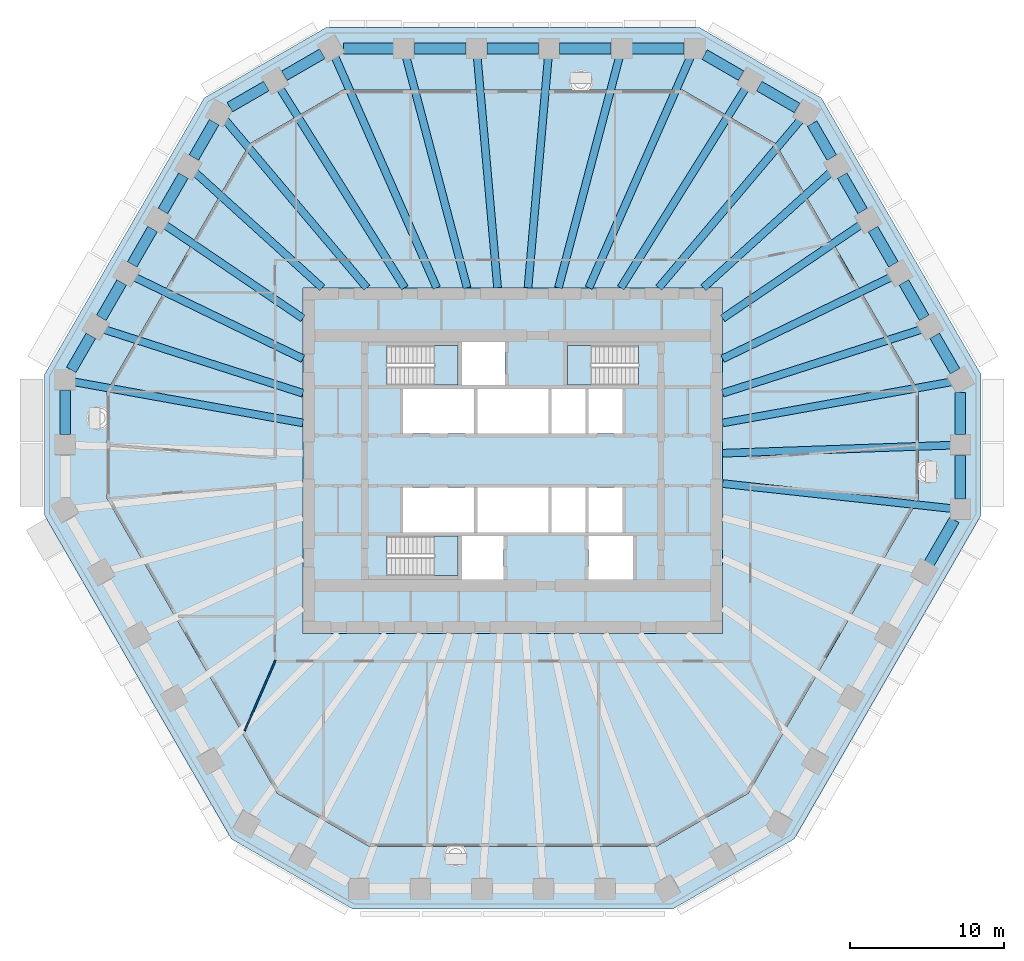
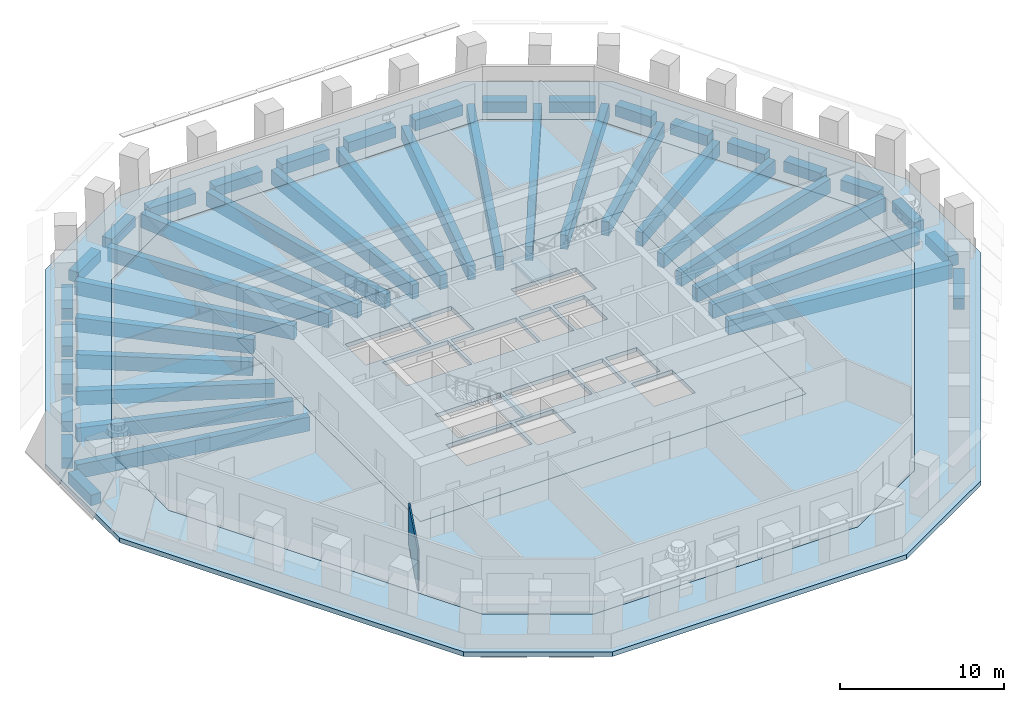
# One storey, part 2 of 13: 45 beams, 6 slabs, 1 wall, 3 elements without a shape of their own.
"""IFC4 building model written with IfcOpenShell, lengths in metres."""

from ifc_helpers import new_model, si_unit, direction, frame, frame_2d, origin, origin_2d, place, context, subcontext, project, spatial, polyline, rectangle, outline, extrude, material, layer, layer_set, material_profile, profile_set, type_object, element, aggregate, save


model = new_model("IFC4")

# Units and contexts
model_context = context("Model", 3, precision=1e-05, world=origin(), true_north=direction((0.0, 1.0)))
body_context = subcontext(model_context, "Body", "Model", "MODEL_VIEW")
ifc_project = project(units=[si_unit("LENGTHUNIT", "METRE"), si_unit("AREAUNIT", "SQUARE_METRE"), si_unit("VOLUMEUNIT", "CUBIC_METRE"), si_unit("PLANEANGLEUNIT", "RADIAN"), si_unit("MASSUNIT", "GRAM", prefix="KILO")], contexts=[model_context])

# Site, building, storey
site_placement = place(None, origin())
site = spatial("IfcSite", under=ifc_project, at=site_placement, CompositionType="ELEMENT")
building_placement = place(site_placement, origin())
building = spatial("IfcBuilding", under=site, at=building_placement, Name="Frailejon Research Tower", CompositionType="ELEMENT")
storey_placement = place(building_placement, frame((0.0, 0.0, 113.199951171875)))
storey = spatial("IfcBuildingStorey", under=building, at=storey_placement, Name="L24", CompositionType="ELEMENT", Elevation=113.199951171875)

# Beams
ifc_material_1 = material(Name="Concrete C60/75", Category="concrete")
ifc_material_profile_1 = material_profile(ifc_material_1, rectangle(XDim=0.5, YDim=1.050048828125, at=origin_2d()), Name="Girder 500x1050")
ifc_profile_set_1 = profile_set([ifc_material_profile_1], Name="Concrete C60/75")
beam_type_1 = type_object("IfcBeamType", Name="Girder 500x1050", PredefinedType="BEAM", material=ifc_profile_set_1)
beam_1_placement = place(storey_placement, frame((28.474853515625, -3.11181640625, -0.824951171875), z_axis=(-0.994082075106, 0.108631615803, 0.0), x_axis=(-0.108631615803, -0.994082075106, 0.0)))
element("IfcBeam", 1, at=beam_1_placement, inside=storey, type_object=beam_type_1, Name="Girder 500x1050", PredefinedType="BEAM", context=body_context, shape_type="SweptSolid", body=[
    extrude(rectangle(XDim=0.5, YDim=1.050048828125, at=origin_2d()), origin(), (0.0, 0.0, 1.0), 14.96337890625),
])
beam_2_placement = place(storey_placement, frame((28.4755859375, 0.999755859375, -0.824951171875), z_axis=(-0.999384358315, -0.035084246552, 0.0), x_axis=(0.035084246552, -0.999384358315, 0.0)))
element("IfcBeam", 2, at=beam_2_placement, inside=storey, type_object=beam_type_1, Name="Girder 500x1050", PredefinedType="BEAM", context=body_context, shape_type="SweptSolid", body=[
    extrude(rectangle(XDim=0.5, YDim=1.050048828125, at=origin_2d()), origin(), (0.0, 0.0, 1.0), 14.884765625),
])
beam_3_placement = place(storey_placement, frame((28.442138671875, 5.10546875, -0.824951171875), z_axis=(-0.984269979791, -0.176670899931, 0.0), x_axis=(0.176670899931, -0.984269979791, 0.0)))
element("IfcBeam", 3, at=beam_3_placement, inside=storey, type_object=beam_type_1, Name="Girder 500x1050", PredefinedType="BEAM", context=body_context, shape_type="SweptSolid", body=[
    extrude(rectangle(XDim=0.5, YDim=1.050048828125, at=origin_2d()), origin(), (0.0, 0.0, 1.0), 15.079345703125),
])
beam_4_placement = place(storey_placement, frame((26.487548828125, 8.501953125, -0.824951171875), z_axis=(-0.952150661457, -0.305629052754, 0.0), x_axis=(0.305629052754, -0.952150661457, 0.0)))
element("IfcBeam", 4, at=beam_4_placement, inside=storey, type_object=beam_type_1, Name="Girder 500x1050", PredefinedType="BEAM", context=body_context, shape_type="SweptSolid", body=[
    extrude(rectangle(XDim=0.5, YDim=1.050048828125, at=origin_2d()), origin(), (0.0, 0.0, 1.0), 13.53515625),
])
beam_5_placement = place(storey_placement, frame((24.530029296875, 11.8984375, -0.824951171875), z_axis=(-0.899736632438, -0.436433262079, 0.0), x_axis=(0.436433262079, -0.899736632438, 0.0)))
element("IfcBeam", 5, at=beam_5_placement, inside=storey, type_object=beam_type_1, Name="Girder 500x1050", PredefinedType="BEAM", context=body_context, shape_type="SweptSolid", body=[
    extrude(rectangle(XDim=0.5, YDim=1.050048828125, at=origin_2d()), origin(), (0.0, 0.0, 1.0), 12.14794921875),
])
beam_6_placement = place(storey_placement, frame((22.5693359375, 15.294189453125, -0.824951171875), z_axis=(-0.827824849483, -0.560986647415, 0.0), x_axis=(0.560986647415, -0.827824849483, 0.0)))
element("IfcBeam", 6, at=beam_6_placement, inside=storey, type_object=beam_type_1, Name="Girder 500x1050", PredefinedType="BEAM", context=body_context, shape_type="SweptSolid", body=[
    extrude(rectangle(XDim=0.5, YDim=1.050048828125, at=origin_2d()), origin(), (0.0, 0.0, 1.0), 10.834716796875),
])
beam_7_placement = place(storey_placement, frame((20.606689453125, 18.68798828125, -0.824951171875), z_axis=(-0.740751225093, -0.67177944485, 0.0), x_axis=(0.67177944485, -0.740751225093, 0.0)))
element("IfcBeam", 7, at=beam_7_placement, inside=storey, type_object=beam_type_1, Name="Girder 500x1050", PredefinedType="BEAM", context=body_context, shape_type="SweptSolid", body=[
    extrude(rectangle(XDim=0.5, YDim=1.050048828125, at=origin_2d()), origin(), (0.0, 0.0, 1.0), 11.146484375),
])
beam_8_placement = place(storey_placement, frame((18.6630859375, 22.10302734375, -0.824951171875), z_axis=(-0.645150412334, -0.76405559056, 0.0), x_axis=(0.76405559056, -0.645150412334, 0.0)))
element("IfcBeam", 8, at=beam_8_placement, inside=storey, type_object=beam_type_1, Name="Girder 500x1050", PredefinedType="BEAM", context=body_context, shape_type="SweptSolid", body=[
    extrude(rectangle(XDim=0.5, YDim=1.050048828125, at=origin_2d()), origin(), (0.0, 0.0, 1.0), 14.27001953125),
])
beam_9_placement = place(storey_placement, frame((15.103515625, 24.16064453125, -0.824951171875), z_axis=(-0.530075033249, -0.847950740978, 0.0), x_axis=(0.847950740978, -0.530075033249, 0.0)))
element("IfcBeam", 9, at=beam_9_placement, inside=storey, type_object=beam_type_1, Name="Girder 500x1050", PredefinedType="BEAM", context=body_context, shape_type="SweptSolid", body=[
    extrude(rectangle(XDim=0.5, YDim=1.050048828125, at=origin_2d()), origin(), (0.0, 0.0, 1.0), 15.28466796875),
])
beam_10_placement = place(storey_placement, frame((11.518798828125, 26.162353515625, -0.824951171875), z_axis=(-0.402953298694, -0.91522054122, 0.0), x_axis=(0.91522054122, -0.402953298694, 0.0)))
element("IfcBeam", 10, at=beam_10_placement, inside=storey, type_object=beam_type_1, Name="Girder 500x1050", PredefinedType="BEAM", context=body_context, shape_type="SweptSolid", body=[
    extrude(rectangle(XDim=0.5, YDim=1.050048828125, at=origin_2d()), origin(), (0.0, 0.0, 1.0), 16.348388671875),
])
beam_11_placement = place(storey_placement, frame((6.913330078125, 26.169921875, -0.824951171875), z_axis=(-0.25540669645, -0.96683370825, 0.0), x_axis=(0.96683370825, -0.25540669645, 0.0)))
element("IfcBeam", 11, at=beam_11_placement, inside=storey, type_object=beam_type_1, Name="Girder 500x1050", PredefinedType="BEAM", context=body_context, shape_type="SweptSolid", body=[
    extrude(rectangle(XDim=0.5, YDim=1.050048828125, at=origin_2d()), origin(), (0.0, 0.0, 1.0), 15.4833984375),
])
for number, where, z_axis, x_axis, name in (
    (12, (2.3046875, 26.17431640625, -0.824951171875), (-0.087717959384, -0.99614535064, 0.0), (0.99614535064, -0.087717959384, 0.0), "Girder 500x1050"),
    (13, (-2.3046875, 26.17431640625, -0.824951171875), (0.087717959384, -0.99614535064, 0.0), (0.99614535064, 0.087717959384, 0.0), "Girder 500x1050"),
):
    element("IfcBeam", number, at=place(storey_placement, frame(where, z_axis=z_axis, x_axis=x_axis)), inside=storey, type_object=beam_type_1, Name=name, PredefinedType="BEAM", context=body_context, shape_type="SweptSolid", body=[
        extrude(rectangle(XDim=0.5, YDim=1.050048828125, at=origin_2d()), origin(), (0.0, 0.0, 1.0), 15.0322265625),
    ])
beam_12_placement = place(storey_placement, frame((-6.913330078125, 26.169921875, -0.824951171875), z_axis=(0.25540669645, -0.96683370825, 0.0), x_axis=(0.96683370825, 0.25540669645, 0.0)))
element("IfcBeam", 14, at=beam_12_placement, inside=storey, type_object=beam_type_1, Name="Girder 500x1050", PredefinedType="BEAM", context=body_context, shape_type="SweptSolid", body=[
    extrude(rectangle(XDim=0.5, YDim=1.050048828125, at=origin_2d()), origin(), (0.0, 0.0, 1.0), 15.4833984375),
])
beam_13_placement = place(storey_placement, frame((-11.54248046875, 26.2158203125, -0.824951171875), z_axis=(0.402960511484, -0.915217365539, 0.0), x_axis=(0.915217365539, 0.402960511484, 0.0)))
element("IfcBeam", 15, at=beam_13_placement, inside=storey, type_object=beam_type_1, Name="Girder 500x1050", PredefinedType="BEAM", context=body_context, shape_type="SweptSolid", body=[
    extrude(rectangle(XDim=0.5, YDim=1.050048828125, at=origin_2d()), origin(), (0.0, 0.0, 1.0), 16.406982421875),
])
beam_14_placement = place(storey_placement, frame((-15.103515625, 24.16064453125, -0.824951171875), z_axis=(0.530075033249, -0.847950740978, 0.0), x_axis=(0.847950740978, 0.530075033249, 0.0)))
element("IfcBeam", 16, at=beam_14_placement, inside=storey, type_object=beam_type_1, Name="Girder 500x1050", PredefinedType="BEAM", context=body_context, shape_type="SweptSolid", body=[
    extrude(rectangle(XDim=0.5, YDim=1.050048828125, at=origin_2d()), origin(), (0.0, 0.0, 1.0), 15.28466796875),
])
beam_15_placement = place(storey_placement, frame((-18.642578125, 22.078857421875, -0.824951171875), z_axis=(0.645146340791, -0.764059028455, 0.0), x_axis=(0.764059028455, 0.645146340791, 0.0)))
element("IfcBeam", 17, at=beam_15_placement, inside=storey, type_object=beam_type_1, Name="Girder 500x1050", PredefinedType="BEAM", context=body_context, shape_type="SweptSolid", body=[
    extrude(rectangle(XDim=0.5, YDim=1.050048828125, at=origin_2d()), origin(), (0.0, 0.0, 1.0), 14.23828125),
])
beam_16_placement = place(storey_placement, frame((-20.606689453125, 18.68798828125, -0.824951171875), z_axis=(0.740751225093, -0.67177944485, 0.0), x_axis=(0.67177944485, 0.740751225093, 0.0)))
element("IfcBeam", 18, at=beam_16_placement, inside=storey, type_object=beam_type_1, Name="Girder 500x1050", PredefinedType="BEAM", context=body_context, shape_type="SweptSolid", body=[
    extrude(rectangle(XDim=0.5, YDim=1.050048828125, at=origin_2d()), origin(), (0.0, 0.0, 1.0), 11.146484375),
])
beam_17_placement = place(storey_placement, frame((-22.5693359375, 15.294189453125, -0.824951171875), z_axis=(0.827824849483, -0.560986647415, 0.0), x_axis=(0.560986647415, 0.827824849483, 0.0)))
element("IfcBeam", 19, at=beam_17_placement, inside=storey, type_object=beam_type_1, Name="Girder 500x1050", PredefinedType="BEAM", context=body_context, shape_type="SweptSolid", body=[
    extrude(rectangle(XDim=0.5, YDim=1.050048828125, at=origin_2d()), origin(), (0.0, 0.0, 1.0), 10.834716796875),
])
beam_18_placement = place(storey_placement, frame((-24.530029296875, 11.8984375, -0.824951171875), z_axis=(0.899736632438, -0.436433262079, 0.0), x_axis=(0.436433262079, 0.899736632438, 0.0)))
element("IfcBeam", 20, at=beam_18_placement, inside=storey, type_object=beam_type_1, Name="Girder 500x1050", PredefinedType="BEAM", context=body_context, shape_type="SweptSolid", body=[
    extrude(rectangle(XDim=0.5, YDim=1.050048828125, at=origin_2d()), origin(), (0.0, 0.0, 1.0), 12.14794921875),
])
beam_19_placement = place(storey_placement, frame((-26.487548828125, 8.501953125, -0.824951171875), z_axis=(0.952150661457, -0.305629052754, 0.0), x_axis=(0.305629052754, 0.952150661457, 0.0)))
element("IfcBeam", 21, at=beam_19_placement, inside=storey, type_object=beam_type_1, Name="Girder 500x1050", PredefinedType="BEAM", context=body_context, shape_type="SweptSolid", body=[
    extrude(rectangle(XDim=0.5, YDim=1.050048828125, at=origin_2d()), origin(), (0.0, 0.0, 1.0), 13.53515625),
])
beam_20_placement = place(storey_placement, frame((-28.473388671875, 5.111083984375, -0.824951171875), z_axis=(0.984269910331, -0.176671286904, 0.0), x_axis=(0.176671286904, 0.984269910331, 0.0)))
element("IfcBeam", 22, at=beam_20_placement, inside=storey, type_object=beam_type_1, Name="Girder 500x1050", PredefinedType="BEAM", context=body_context, shape_type="SweptSolid", body=[
    extrude(rectangle(XDim=0.5, YDim=1.050048828125, at=origin_2d()), origin(), (0.0, 0.0, 1.0), 15.111083984375),
])
ifc_material_2 = material(Name="Concrete C60/75", Category="concrete")
ifc_material_profile_2 = material_profile(ifc_material_2, rectangle(XDim=0.699951171875, YDim=0.800048828125, at=origin_2d()), Name="Spandrel 700x800")
ifc_profile_set_2 = profile_set([ifc_material_profile_2], Name="Concrete C60/75")
beam_type_2 = type_object("IfcBeamType", Name="Spandrel 700x800", PredefinedType="BEAM", material=ifc_profile_set_2)
beam_21_placement = place(storey_placement, frame((29.000732421875, -2.494384765625, -0.75), z_axis=(0.0, 1.0, 0.0), x_axis=(-1.0, 0.0, 0.0)))
element("IfcBeam", 23, at=beam_21_placement, inside=storey, type_object=beam_type_2, Name="Spandrel 700x800", PredefinedType="BEAM", context=body_context, shape_type="SweptSolid", body=[
    extrude(rectangle(XDim=0.699951171875, YDim=0.800048828125, at=origin_2d()), origin(), (0.0, 0.0, 1.0), 2.837646484375),
])
beam_22_placement = place(storey_placement, frame((29.000732421875, 1.693115234375, -0.75), z_axis=(0.0, 1.0, 0.0), x_axis=(-1.0, 0.0, 0.0)))
element("IfcBeam", 24, at=beam_22_placement, inside=storey, type_object=beam_type_2, Name="Spandrel 700x800", PredefinedType="BEAM", context=body_context, shape_type="SweptSolid", body=[
    extrude(rectangle(XDim=0.699951171875, YDim=0.800048828125, at=origin_2d()), origin(), (0.0, 0.0, 1.0), 2.7333984375),
])
for number, where, z_axis, x_axis, name in (
    (25, (28.6630859375, 5.790283203125, -0.75), (-0.499948689069, 0.866055026138, 0.0), (-0.866055026138, -0.499948689069, 0.0), "Spandrel 700x800"),
    (26, (26.664794921875, 9.251708984375, -0.75), (-0.500057813598, 0.865992022515, 0.0), (-0.865992022515, -0.500057813598, 0.0), "Spandrel 700x800"),
):
    element("IfcBeam", number, at=place(storey_placement, frame(where, z_axis=z_axis, x_axis=x_axis)), inside=storey, type_object=beam_type_2, Name=name, PredefinedType="BEAM", context=body_context, shape_type="SweptSolid", body=[
        extrude(rectangle(XDim=0.699951171875, YDim=0.800048828125, at=origin_2d()), origin(), (0.0, 0.0, 1.0), 2.646728515625),
    ])
for number, where, z_axis, x_axis, name in (
    (27, (24.66650390625, 12.712890625, -0.75), (-0.500017870107, 0.866015086227, 0.0), (-0.866015086227, -0.500017870107, 0.0), "Spandrel 700x800"),
    (28, (22.66796875, 16.17431640625, -0.75), (-0.500017870107, 0.866015086227, 0.0), (-0.866015086227, -0.500017870107, 0.0), "Spandrel 700x800"),
):
    element("IfcBeam", number, at=place(storey_placement, frame(where, z_axis=z_axis, x_axis=x_axis)), inside=storey, type_object=beam_type_2, Name=name, PredefinedType="BEAM", context=body_context, shape_type="SweptSolid", body=[
        extrude(rectangle(XDim=0.699951171875, YDim=0.800048828125, at=origin_2d()), origin(), (0.0, 0.0, 1.0), 2.64697265625),
    ])
beam_23_placement = place(storey_placement, frame((20.669677734375, 19.6357421875, -0.75), z_axis=(-0.500032789802, 0.866006471756, 0.0), x_axis=(-0.866006471756, -0.500032789802, 0.0)))
element("IfcBeam", 29, at=beam_23_placement, inside=storey, type_object=beam_type_2, Name="Spandrel 700x800", PredefinedType="BEAM", context=body_context, shape_type="SweptSolid", body=[
    extrude(rectangle(XDim=0.699951171875, YDim=0.800048828125, at=origin_2d()), origin(), (0.0, 0.0, 1.0), 2.542236328125),
])
beam_24_placement = place(storey_placement, frame((18.424072265625, 22.849853515625, -0.75), z_axis=(-0.865989280058, 0.500062562911, 0.0), x_axis=(-0.500062562911, -0.865989280058, 0.0)))
element("IfcBeam", 30, at=beam_24_placement, inside=storey, type_object=beam_type_2, Name="Spandrel 700x800", PredefinedType="BEAM", context=body_context, shape_type="SweptSolid", body=[
    extrude(rectangle(XDim=0.699951171875, YDim=0.800048828125, at=origin_2d()), origin(), (0.0, 0.0, 1.0), 2.837646484375),
])
beam_25_placement = place(storey_placement, frame((14.797607421875, 24.943603515625, -0.75), z_axis=(-0.866002615699, 0.500039468044, 0.0), x_axis=(-0.500039468044, -0.866002615699, 0.0)))
element("IfcBeam", 31, at=beam_25_placement, inside=storey, type_object=beam_type_2, Name="Spandrel 700x800", PredefinedType="BEAM", context=body_context, shape_type="SweptSolid", body=[
    extrude(rectangle(XDim=0.699951171875, YDim=0.800048828125, at=origin_2d()), origin(), (0.0, 0.0, 1.0), 2.733154296875),
])
beam_26_placement = place(storey_placement, frame((11.08056640625, 26.699951171875, -0.75), z_axis=(-1.0, 0.0, 0.0), x_axis=(0.0, -1.0, 0.0)))
element("IfcBeam", 32, at=beam_26_placement, inside=storey, type_object=beam_type_2, Name="Spandrel 700x800", PredefinedType="BEAM", context=body_context, shape_type="SweptSolid", body=[
    extrude(rectangle(XDim=0.699951171875, YDim=0.800048828125, at=origin_2d()), origin(), (0.0, 0.0, 1.0), 3.35205078125),
])
beam_27_placement = place(storey_placement, frame((6.37841796875, 26.699951171875, -0.75), z_axis=(-1.0, 0.0, 0.0), x_axis=(0.0, -1.0, 0.0)))
element("IfcBeam", 33, at=beam_27_placement, inside=storey, type_object=beam_type_2, Name="Spandrel 700x800", PredefinedType="BEAM", context=body_context, shape_type="SweptSolid", body=[
    extrude(rectangle(XDim=0.699951171875, YDim=0.800048828125, at=origin_2d()), origin(), (0.0, 0.0, 1.0), 3.352294921875),
])
beam_28_placement = place(storey_placement, frame((1.676025390625, 26.699951171875, -0.75), z_axis=(-1.0, 0.0, 0.0), x_axis=(0.0, -1.0, 0.0)))
element("IfcBeam", 34, at=beam_28_placement, inside=storey, type_object=beam_type_2, Name="Spandrel 700x800", PredefinedType="BEAM", context=body_context, shape_type="SweptSolid", body=[
    extrude(rectangle(XDim=0.699951171875, YDim=0.800048828125, at=origin_2d()), origin(), (0.0, 0.0, 1.0), 3.35205078125),
])
beam_29_placement = place(storey_placement, frame((-3.026123046875, 26.699951171875, -0.75), z_axis=(-1.0, 0.0, 0.0), x_axis=(0.0, -1.0, 0.0)))
element("IfcBeam", 35, at=beam_29_placement, inside=storey, type_object=beam_type_2, Name="Spandrel 700x800", PredefinedType="BEAM", context=body_context, shape_type="SweptSolid", body=[
    extrude(rectangle(XDim=0.699951171875, YDim=0.800048828125, at=origin_2d()), origin(), (0.0, 0.0, 1.0), 3.352294921875),
])
beam_30_placement = place(storey_placement, frame((-7.728515625, 26.699951171875, -0.75), z_axis=(-1.0, 0.0, 0.0), x_axis=(0.0, -1.0, 0.0)))
element("IfcBeam", 36, at=beam_30_placement, inside=storey, type_object=beam_type_2, Name="Spandrel 700x800", PredefinedType="BEAM", context=body_context, shape_type="SweptSolid", body=[
    extrude(rectangle(XDim=0.699951171875, YDim=0.800048828125, at=origin_2d()), origin(), (0.0, 0.0, 1.0), 3.247802734375),
])
beam_31_placement = place(storey_placement, frame((-12.340087890625, 26.362548828125, -0.75), z_axis=(-0.866010792954, -0.500025305846, 0.0), x_axis=(0.500025305846, -0.866010792954, 0.0)))
element("IfcBeam", 37, at=beam_31_placement, inside=storey, type_object=beam_type_2, Name="Spandrel 700x800", PredefinedType="BEAM", context=body_context, shape_type="SweptSolid", body=[
    extrude(rectangle(XDim=0.699951171875, YDim=0.800048828125, at=origin_2d()), origin(), (0.0, 0.0, 1.0), 2.837646484375),
])
beam_32_placement = place(storey_placement, frame((-15.966796875, 24.268798828125, -0.75), z_axis=(-0.866002615699, -0.500039468044, 0.0), x_axis=(0.500039468044, -0.866002615699, 0.0)))
element("IfcBeam", 38, at=beam_32_placement, inside=storey, type_object=beam_type_2, Name="Spandrel 700x800", PredefinedType="BEAM", context=body_context, shape_type="SweptSolid", body=[
    extrude(rectangle(XDim=0.699951171875, YDim=0.800048828125, at=origin_2d()), origin(), (0.0, 0.0, 1.0), 2.733154296875),
])
beam_33_placement = place(storey_placement, frame((-19.34619140625, 21.927734375, -0.75), z_axis=(-0.500057813598, -0.865992022515, 0.0), x_axis=(0.865992022515, -0.500057813598, 0.0)))
element("IfcBeam", 39, at=beam_33_placement, inside=storey, type_object=beam_type_2, Name="Spandrel 700x800", PredefinedType="BEAM", context=body_context, shape_type="SweptSolid", body=[
    extrude(rectangle(XDim=0.699951171875, YDim=0.800048828125, at=origin_2d()), origin(), (0.0, 0.0, 1.0), 2.646728515625),
])
for number, where, z_axis, x_axis, name in (
    (40, (-21.344482421875, 18.466552734375, -0.75), (-0.500017870107, -0.866015086227, 0.0), (0.866015086227, -0.500017870107, 0.0), "Spandrel 700x800"),
    (41, (-23.343017578125, 15.005126953125, -0.75), (-0.500017870107, -0.866015086227, 0.0), (0.866015086227, -0.500017870107, 0.0), "Spandrel 700x800"),
):
    element("IfcBeam", number, at=place(storey_placement, frame(where, z_axis=z_axis, x_axis=x_axis)), inside=storey, type_object=beam_type_2, Name=name, PredefinedType="BEAM", context=body_context, shape_type="SweptSolid", body=[
        extrude(rectangle(XDim=0.699951171875, YDim=0.800048828125, at=origin_2d()), origin(), (0.0, 0.0, 1.0), 2.64697265625),
    ])
beam_34_placement = place(storey_placement, frame((-25.34130859375, 11.543701171875, -0.75), z_axis=(-0.500057813598, -0.865992022515, 0.0), x_axis=(0.865992022515, -0.500057813598, 0.0)))
element("IfcBeam", 42, at=beam_34_placement, inside=storey, type_object=beam_type_2, Name="Spandrel 700x800", PredefinedType="BEAM", context=body_context, shape_type="SweptSolid", body=[
    extrude(rectangle(XDim=0.699951171875, YDim=0.800048828125, at=origin_2d()), origin(), (0.0, 0.0, 1.0), 2.646728515625),
])
beam_35_placement = place(storey_placement, frame((-27.33984375, 8.08251953125, -0.75), z_axis=(-0.500032789802, -0.866006471756, 0.0), x_axis=(0.866006471756, -0.500032789802, 0.0)))
element("IfcBeam", 43, at=beam_35_placement, inside=storey, type_object=beam_type_2, Name="Spandrel 700x800", PredefinedType="BEAM", context=body_context, shape_type="SweptSolid", body=[
    extrude(rectangle(XDim=0.699951171875, YDim=0.800048828125, at=origin_2d()), origin(), (0.0, 0.0, 1.0), 2.542236328125),
])
beam_36_placement = place(storey_placement, frame((-29.000732421875, 4.53076171875, -0.75), z_axis=(0.0, -1.0, 0.0), x_axis=(1.0, 0.0, 0.0)))
element("IfcBeam", 44, at=beam_36_placement, inside=storey, type_object=beam_type_2, Name="Spandrel 700x800", PredefinedType="BEAM", context=body_context, shape_type="SweptSolid", body=[
    extrude(rectangle(XDim=0.699951171875, YDim=0.800048828125, at=origin_2d()), origin(), (0.0, 0.0, 1.0), 2.837646484375),
])
beam_37_placement = place(storey_placement, frame((26.987060546875, -6.656982421875, -0.75), z_axis=(0.500052144805, 0.865995295874, 0.0), x_axis=(-0.865995295874, 0.500052144805, 0.0)))
element("IfcBeam", 45, at=beam_37_placement, inside=storey, type_object=beam_type_2, Name="Spandrel 700x800", PredefinedType="BEAM", context=body_context, shape_type="SweptSolid", body=[
    extrude(rectangle(XDim=0.699951171875, YDim=0.800048828125, at=origin_2d()), origin(), (0.0, 0.0, 1.0), 3.247802734375),
])

# Slabs
ifc_material_3 = material(Name="Concrete C70/85", Category="concrete")
ifc_layer_1 = layer(ifc_material_3, 0.300048828125)
ifc_layer_set_1 = layer_set([ifc_layer_1], Name="Core floor slab 300 C70/85")
slab_type_1 = type_object("IfcSlabType", Name="Core floor slab 300 C70/85", PredefinedType="FLOOR", material=ifc_layer_set_1)
slab_1_placement = place(storey_placement, frame((0.0, 0.0, -0.300048828125)))
element("IfcSlab", 46, at=slab_1_placement, inside=storey, type_object=slab_type_1, Name="Core floor slab", PredefinedType="FLOOR", context=body_context, shape_type="SweptSolid", body=[
    extrude(outline(polyline([(13.60009765625, -11.199951171875), (13.60009765625, 11.199951171875), (-13.60009765625, 11.199951171875), (-13.60009765625, -11.199951171875), (13.60009765625, -11.199951171875)]), holes=[polyline([(-2.5, 1.75), (-2.5, 4.64990234375), (-7.10009765625, 4.64990234375), (-7.10009765625, 1.75), (-2.5, 1.75)]), polyline([(2.300048828125, 1.75), (2.300048828125, 4.64990234375), (-2.300048828125, 4.64990234375), (-2.300048828125, 1.75), (2.300048828125, 1.75)]), polyline([(4.699951171875, 1.75), (4.699951171875, 4.64990234375), (2.5, 4.64990234375), (2.5, 1.75), (4.699951171875, 1.75)]), polyline([(7.10009765625, 1.75), (7.10009765625, 4.64990234375), (4.89990234375, 4.64990234375), (4.89990234375, 1.75), (7.10009765625, 1.75)]), polyline([(-2.5, -4.64990234375), (-2.5, -1.75), (-7.10009765625, -1.75), (-7.10009765625, -4.64990234375), (-2.5, -4.64990234375)]), polyline([(2.300048828125, -4.64990234375), (2.300048828125, -1.75), (-2.300048828125, -1.75), (-2.300048828125, -4.64990234375), (2.300048828125, -4.64990234375)]), polyline([(4.699951171875, -4.64990234375), (4.699951171875, -1.75), (2.5, -1.75), (2.5, -4.64990234375), (4.699951171875, -4.64990234375)]), polyline([(7.10009765625, -4.64990234375), (7.10009765625, -1.75), (4.89990234375, -1.75), (4.89990234375, -4.64990234375), (7.10009765625, -4.64990234375)]), polyline([(-8.14697265625, 4.89990234375), (-3.550048828125, 4.89990234375), (-3.550048828125, 7.449951171875), (-8.14697265625, 7.449951171875), (-8.14697265625, 4.89990234375)]), polyline([(-8.14697265625, -7.449951171875), (-3.550048828125, -7.449951171875), (-3.550048828125, -4.89990234375), (-8.14697265625, -4.89990234375), (-8.14697265625, -7.449951171875)]), polyline([(8.14697265625, 7.449951171875), (3.550048828125, 7.449951171875), (3.550048828125, 4.89990234375), (8.14697265625, 4.89990234375), (8.14697265625, 7.449951171875)]), polyline([(-0.60009765625, -7.699951171875), (-0.60009765625, -4.89990234375), (-3.300048828125, -4.89990234375), (-3.300048828125, -7.699951171875), (-0.60009765625, -7.699951171875)]), polyline([(7.800048828125, -7.699951171875), (7.800048828125, -4.89990234375), (4.89990234375, -4.89990234375), (4.89990234375, -7.699951171875), (7.800048828125, -7.699951171875)]), polyline([(-0.5, 4.89990234375), (-0.5, 7.699951171875), (-3.300048828125, 7.699951171875), (-3.300048828125, 4.89990234375), (-0.5, 4.89990234375)])]), origin(), (0.0, 0.0, 1.0), 0.300048828125),
])
ifc_material_4 = material(Name="Concrete C40/50", Category="concrete")
ifc_layer_2 = layer(ifc_material_4, 0.35009765625)
ifc_layer_set_2 = layer_set([ifc_layer_2], Name="Loggia slab 350")
slab_type_2 = type_object("IfcSlabType", Name="Loggia slab 350", PredefinedType="USERDEFINED", material=ifc_layer_set_2)
slab_2_placement = place(storey_placement, frame((0.0, 0.0, -0.349853515625)))
element("IfcSlab", 47, at=slab_2_placement, inside=storey, type_object=slab_type_2, Name="Loggia slab L24", ObjectType="LOGGIA", PredefinedType="USERDEFINED", context=body_context, shape_type="SweptSolid", body=[
    extrude(outline(polyline([(18.2333984375, -24.518798828125), (10.353759765625, -29.068115234375), (-10.353759765625, -29.068115234375), (-18.2333984375, -24.518798828125), (-30.3505859375, -3.531005859375), (-30.3505859375, 5.5673828125), (-19.996826171875, 23.500732421875), (-12.1171875, 28.050048828125), (12.1171875, 28.050048828125), (19.996826171875, 23.500732421875), (30.3505859375, 5.5673828125), (30.3505859375, -3.531005859375), (18.2333984375, -24.518798828125)]), holes=[polyline([(26.30078125, 4.482421875), (17.031982421875, 20.535888671875), (11.031982421875, 24.0), (-11.031982421875, 24.0), (-17.031982421875, 20.535888671875), (-26.30078125, 4.482421875), (-26.30078125, -2.44580078125), (-15.2685546875, -21.55419921875), (-9.2685546875, -25.018310546875), (9.2685546875, -25.018310546875), (15.2685546875, -21.55419921875), (26.30078125, -2.44580078125), (26.30078125, 4.482421875)])]), origin(), (0.0, 0.0, 1.0), 0.349853515625),
])
ifc_material_5 = material(Name="Concrete C40/50", Category="concrete")
ifc_layer_3 = layer(ifc_material_5, 0.300048828125)
ifc_layer_set_3 = layer_set([ifc_layer_3], Name="Slab typical 300")
slab_type_3 = type_object("IfcSlabType", Name="Slab typical 300", PredefinedType="FLOOR", material=ifc_layer_set_3)
slab_3_placement = place(storey_placement, frame((0.0, 0.0, -0.300048828125)))
element("IfcSlab", 48, at=slab_3_placement, inside=storey, type_object=slab_type_3, Name="Floor slab L24", PredefinedType="FLOOR", context=body_context, shape_type="SweptSolid", body=[
    extrude(outline(polyline([(26.30078125, -2.44580078125), (26.30078125, 4.482421875), (17.031982421875, 20.535888671875), (11.031982421875, 24.0), (-11.031982421875, 24.0), (-17.031982421875, 20.535888671875), (-26.30078125, 4.482421875), (-26.30078125, -2.44580078125), (-15.2685546875, -21.55419921875), (-9.2685546875, -25.018310546875), (9.2685546875, -25.018310546875), (15.2685546875, -21.55419921875), (26.30078125, -2.44580078125)]), holes=[polyline([(13.60009765625, -11.199951171875), (-13.60009765625, -11.199951171875), (-13.60009765625, 11.199951171875), (13.60009765625, 11.199951171875), (13.60009765625, -11.199951171875)])]), origin(), (0.0, 0.0, 1.0), 0.300048828125),
])

# Stair, slab
ifc_material_6 = material(Name="Concrete C50/60", Category="concrete")
stair_type = type_object("IfcStairType", Name="Exit stair 24 risers", PredefinedType="HALF_TURN_STAIR", material=ifc_material_6)
stair_1_placement = place(storey_placement, origin())
stair_1 = element("IfcStair", 49, at=stair_1_placement, inside=storey, type_object=stair_type, Name="L24 Exit stair ST1", PredefinedType="HALF_TURN_STAIR")
ifc_material_7 = material(Name="Concrete C50/60", Category="concrete")
ifc_layer_4 = layer(ifc_material_7, 0.199951171875)
ifc_layer_set_4 = layer_set([ifc_layer_4], Name="Stair landing slab 200")
slab_type_4 = type_object("IfcSlabType", Name="Stair landing slab 200", PredefinedType="LANDING", material=ifc_layer_set_4)
slab_4_placement = place(storey_placement, frame((0.0, 0.0, 2.0)))
slab_4 = element("IfcSlab", 50, at=slab_4_placement, type_object=slab_type_4, Name="ST1 landing 1", PredefinedType="LANDING", context=body_context, shape_type="SweptSolid", body=[
    extrude(outline(polyline([(-5.070068359375, 4.89990234375), (-3.550048828125, 4.89990234375), (-3.550048828125, 7.449951171875), (-5.070068359375, 7.449951171875), (-5.070068359375, 4.89990234375)])), origin(), (0.0, 0.0, 1.0), 0.199951171875),
])
aggregate(stair_1, [slab_4])

stair_2_placement = place(storey_placement, origin())
stair_2 = element("IfcStair", 51, at=stair_2_placement, inside=storey, type_object=stair_type, Name="L24 Exit stair ST2", PredefinedType="HALF_TURN_STAIR")
slab_5_placement = place(storey_placement, frame((0.0, 0.0, 2.0)))
slab_5 = element("IfcSlab", 52, at=slab_5_placement, type_object=slab_type_4, Name="ST2 landing 1", PredefinedType="LANDING", context=body_context, shape_type="SweptSolid", body=[
    extrude(outline(polyline([(-5.070068359375, -7.449951171875), (-3.550048828125, -7.449951171875), (-3.550048828125, -4.89990234375), (-5.070068359375, -4.89990234375), (-5.070068359375, -7.449951171875)])), origin(), (0.0, 0.0, 1.0), 0.199951171875),
])
aggregate(stair_2, [slab_5])

stair_3_placement = place(storey_placement, origin())
stair_3 = element("IfcStair", 53, at=stair_3_placement, inside=storey, type_object=stair_type, Name="L24 Exit stair ST3", PredefinedType="HALF_TURN_STAIR")
slab_6_placement = place(storey_placement, frame((0.0, 0.0, 2.0)))
slab_6 = element("IfcSlab", 54, at=slab_6_placement, type_object=slab_type_4, Name="ST3 landing 1", PredefinedType="LANDING", context=body_context, shape_type="SweptSolid", body=[
    extrude(outline(polyline([(5.070068359375, 7.449951171875), (3.550048828125, 7.449951171875), (3.550048828125, 4.89990234375), (5.070068359375, 4.89990234375), (5.070068359375, 7.449951171875)])), origin(), (0.0, 0.0, 1.0), 0.199951171875),
])
aggregate(stair_3, [slab_6])

# Wall
ifc_material_8 = material(Name="Gypsum board and masonry partition", Category="masonry")
ifc_layer_5 = layer(ifc_material_8, 0.10009765625)
ifc_layer_set_5 = layer_set([ifc_layer_5], Name="Partition, gypsum on steel studs 100")
wall_type = type_object("IfcWallType", Name="Partition, gypsum on steel studs 100", PredefinedType="PARTITIONING", material=ifc_layer_set_5)
wall_placement = place(storey_placement, frame((-17.375244140625, -17.505126953125, 0.0), z_axis=(0.0, 0.0, 1.0), x_axis=(0.401552160524, 0.915836154767, 0.0)))
element("IfcWall", 55, at=wall_placement, inside=storey, type_object=wall_type, Name="T:IW:L24:024", PredefinedType="PARTITIONING", context=body_context, shape_type="SweptSolid", body=[
    extrude(rectangle(XDim=4.994140625, YDim=0.10009765625, at=frame_2d((2.4970703125, 0.0))), origin(), (0.0, 0.0, 1.0), 3.050048828125),
])

save(model, "model.ifc")
